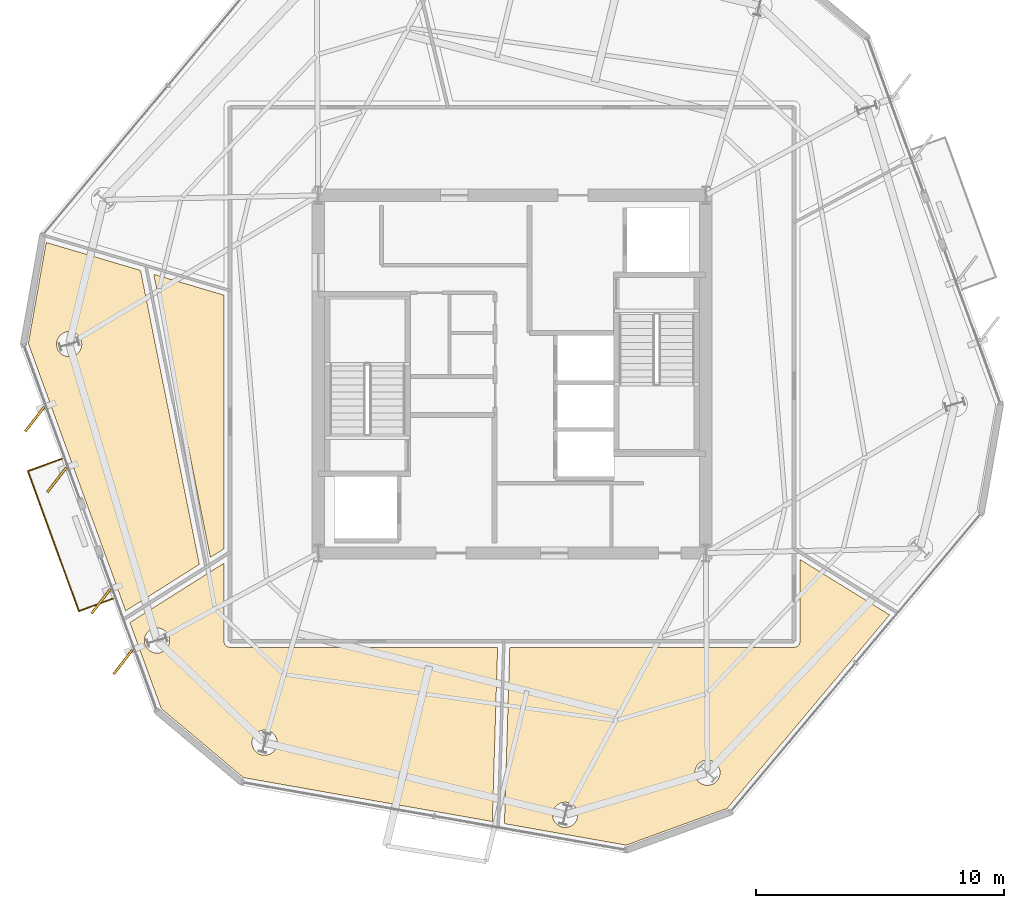
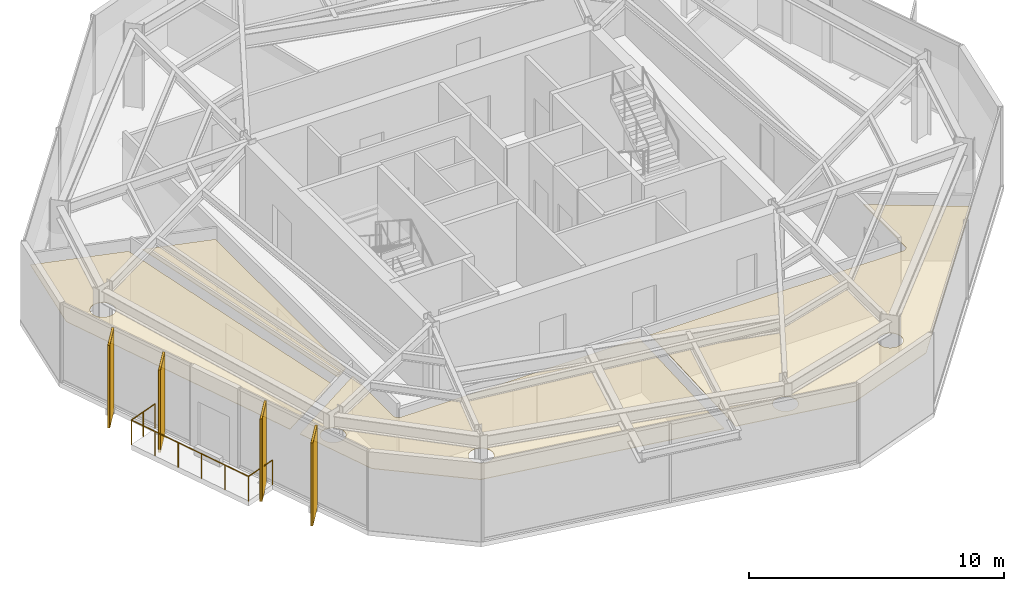
# One storey, part 9 of 11: 8 coverings, 4 shading devices, 1 railing.
"""IFC4 building model written with IfcOpenShell, lengths in metres."""

from ifc_helpers import new_model, si_unit, direction, frame, origin, origin_2d, place, context, subcontext, project, spatial, polyline, rectangle, circle, outline, extrude, material, layer, layer_set, type_object, element, save


model = new_model("IFC4")

# Units and contexts
model_context = context("Model", 3, precision=1e-05, world=origin(), true_north=direction((0.0, 1.0)))
body_context = subcontext(model_context, "Body", "Model", "MODEL_VIEW")
ifc_project = project(units=[si_unit("LENGTHUNIT", "METRE"), si_unit("AREAUNIT", "SQUARE_METRE"), si_unit("VOLUMEUNIT", "CUBIC_METRE"), si_unit("PLANEANGLEUNIT", "RADIAN"), si_unit("MASSUNIT", "GRAM", prefix="KILO")], contexts=[model_context])

# Site, building, storey
site_placement = place(None, origin())
site = spatial("IfcSite", under=ifc_project, at=site_placement, CompositionType="ELEMENT")
building_placement = place(site_placement, origin())
building = spatial("IfcBuilding", under=site, at=building_placement, Name="Kranzbogen Civic Tower", CompositionType="ELEMENT")
storey_placement = place(building_placement, frame((0.0, 0.0, 224.800048828125)))
storey = spatial("IfcBuildingStorey", under=building, at=storey_placement, Name="L54", CompositionType="ELEMENT", Elevation=224.800048828125)

# Coverings
ifc_material_1 = material(Name="Pale Anodised Aluminium", Category="aluminium")
ifc_layer_1 = layer(ifc_material_1, 0.02490234375, Name="Pale Anodised Aluminium")
ifc_layer_set_1 = layer_set([ifc_layer_1], Name="Pale Anodised Aluminium")
covering_type_1 = type_object("IfcCoveringType", Name="Anodised Aluminium Vertical Fin Cladding 25 mm", PredefinedType="CLADDING", material=ifc_layer_set_1)
for number, where, z_axis, x_axis, name in (
    (1, (5.782958984375, 23.18505859375, -0.14013671875), (0.0, 0.0, 1.0), (-0.612644994633, -0.790358216602, 0.0), "L54 vertical fin pale-metal cladding F3-1"),
    (2, (6.672119140625, 20.741943359375, -0.14013671875), (0.0, 0.0, 1.0), (-0.612644994633, -0.790358216602, 0.0), "L54 vertical fin pale-metal cladding F3-2"),
    (3, (8.450927734375, 15.85498046875, -0.14013671875), (0.0, 0.0, 1.0), (-0.612644994633, -0.790358216602, 0.0), "L54 vertical fin pale-metal cladding F3-4"),
    (4, (9.340087890625, 13.412109375, -0.14013671875), (0.0, 0.0, 1.0), (-0.612644994633, -0.790358216602, 0.0), "L54 vertical fin pale-metal cladding F3-5"),
):
    element("IfcCovering", number, at=place(storey_placement, frame(where, z_axis=z_axis, x_axis=x_axis)), inside=storey, type_object=covering_type_1, Name=name, PredefinedType="CLADDING", context=body_context, shape_type="SweptSolid", body=[
        extrude(rectangle(XDim=1.25, YDim=0.10009765625, at=origin_2d()), origin(), (0.0, 0.0, 1.0), 3.9599609375),
    ])

# Shading devices
ifc_material_2 = material(Name="Anodised Bronze Aluminium", Category="aluminium")
shading_device_type = type_object("IfcShadingDeviceType", Name="Anodised Bronze Vertical Facade Fin 1250x80", PredefinedType="USERDEFINED", material=ifc_material_2)
for number, where, z_axis, x_axis, name in (
    (5, (5.782958984375, 23.18505859375, -0.14013671875), (0.0, 0.0, 1.0), (-0.612644994633, -0.790358216602, 0.0), "L54 vertical exterior shading fin F3-1"),
    (6, (6.672119140625, 20.741943359375, -0.14013671875), (0.0, 0.0, 1.0), (-0.612644994633, -0.790358216602, 0.0), "L54 vertical exterior shading fin F3-2"),
    (7, (8.450927734375, 15.85498046875, -0.14013671875), (0.0, 0.0, 1.0), (-0.612644994633, -0.790358216602, 0.0), "L54 vertical exterior shading fin F3-4"),
    (8, (9.340087890625, 13.412109375, -0.14013671875), (0.0, 0.0, 1.0), (-0.612644994633, -0.790358216602, 0.0), "L54 vertical exterior shading fin F3-5"),
):
    element("IfcShadingDevice", number, at=place(storey_placement, frame(where, z_axis=z_axis, x_axis=x_axis)), inside=storey, type_object=shading_device_type, Name=name, ObjectType="FIN", PredefinedType="USERDEFINED", context=body_context, shape_type="SweptSolid", body=[
        extrude(rectangle(XDim=1.25, YDim=0.080078125, at=origin_2d()), origin(), (0.0, 0.0, 1.0), 3.9599609375),
    ])

# Railing
railing_type = type_object("IfcRailingType", Name="Cantilevered Balcony Glass and Bronze Balustrade 1200", PredefinedType="BALUSTRADE", material=ifc_material_2)
railing_placement = place(storey_placement, frame((6.8720703125, 21.593994140625, 0.0)))
element("IfcRailing", 9, at=railing_placement, inside=storey, type_object=railing_type, Name="L54 exterior terrace balustrade L54-TB1", PredefinedType="BALUSTRADE", context=body_context, shape_type="SweptSolid", body=[
    extrude(circle(Radius=0.02392578125, at=origin_2d()), frame((0.0, 0.0, 1.17578125), z_axis=(-0.939695099279, -0.342013333644, 0.0), x_axis=(0.342013333644, -0.939695099279, 0.0)), (0.0, 0.0, 1.0), 1.450439453125),
    extrude(circle(Radius=0.02392578125, at=origin_2d()), frame((-1.363037109375, -0.49609375, 1.17578125), z_axis=(0.342014228241, -0.939694773679, 0.0), x_axis=(0.939694773679, 0.342014228241, 0.0)), (0.0, 0.0, 1.0), 5.999755859375),
    extrude(circle(Radius=0.02392578125, at=origin_2d()), frame((0.68896484375, -6.134033203125, 1.17578125), z_axis=(0.939695099279, 0.342013333644, 0.0), x_axis=(-0.342013333644, 0.939695099279, 0.0)), (0.0, 0.0, 1.0), 1.450439453125),
    extrude(circle(Radius=0.02099609375, at=origin_2d()), origin(), (0.0, 0.0, 1.0), 1.15185546875),
    extrude(circle(Radius=0.02099609375, at=origin_2d()), frame((-0.681640625, -0.248046875, 0.0)), (0.0, 0.0, 1.0), 1.15185546875),
    extrude(circle(Radius=0.02099609375, at=origin_2d()), frame((-1.363037109375, -0.49609375, 0.0)), (0.0, 0.0, 1.0), 1.15185546875),
    extrude(circle(Radius=0.02099609375, at=origin_2d()), frame((-0.95263671875, -1.623779296875, 0.0)), (0.0, 0.0, 1.0), 1.15185546875),
    extrude(circle(Radius=0.02099609375, at=origin_2d()), frame((-0.542236328125, -2.751220703125, 0.0)), (0.0, 0.0, 1.0), 1.15185546875),
    extrude(circle(Radius=0.02099609375, at=origin_2d()), frame((-0.1318359375, -3.87890625, 0.0)), (0.0, 0.0, 1.0), 1.15185546875),
    extrude(circle(Radius=0.02099609375, at=origin_2d()), frame((0.278564453125, -5.00634765625, 0.0)), (0.0, 0.0, 1.0), 1.15185546875),
    extrude(circle(Radius=0.02099609375, at=origin_2d()), frame((0.68896484375, -6.134033203125, 0.0)), (0.0, 0.0, 1.0), 1.15185546875),
    extrude(circle(Radius=0.02099609375, at=origin_2d()), frame((1.37060546875, -5.885986328125, 0.0)), (0.0, 0.0, 1.0), 1.15185546875),
    extrude(circle(Radius=0.02099609375, at=origin_2d()), frame((2.052001953125, -5.637939453125, 0.0)), (0.0, 0.0, 1.0), 1.15185546875),
])

# Coverings
ifc_material_3 = material(Name="Perforated Acoustic Gypsum Ceiling")
ifc_layer_2 = layer(ifc_material_3, 0.02490234375, Name="Perforated Acoustic Gypsum Ceiling")
ifc_layer_set_2 = layer_set([ifc_layer_2], Name="Perforated Acoustic Gypsum Ceiling")
covering_type_2 = type_object("IfcCoveringType", Name="Perforated Acoustic Mineral Ceiling Tile 25 mm", PredefinedType="CEILING", material=ifc_layer_set_2)
covering_1_placement = place(storey_placement, frame((0.0, 0.0, 2.75)))
element("IfcCovering", 10, at=covering_1_placement, inside=storey, type_object=covering_type_2, Name="L54 Delegates Sitting Lounge acoustic ceiling", PredefinedType="CEILING", context=body_context, shape_type="SweptSolid", body=[
    extrude(outline(polyline([(13.405029296875, 17.970947265625), (12.85498046875, 17.6240234375), (10.576904296875, 29.02001953125), (13.405029296875, 28.181884765625), (13.405029296875, 17.970947265625)])), origin(), (0.0, 0.0, 1.0), 0.02490234375),
])
covering_2_placement = place(storey_placement, frame((0.0, 0.0, 2.75)))
element("IfcCovering", 11, at=covering_2_placement, inside=storey, type_object=covering_type_2, Name="L54 Executive Research Study acoustic ceiling", PredefinedType="CEILING", context=body_context, shape_type="SweptSolid", body=[
    extrude(outline(polyline([(10.0458984375, 29.177001953125), (12.410888671875, 17.343994140625), (9.446044921875, 15.471923828125), (5.527099609375, 26.237060546875), (6.2451171875, 30.303955078125), (10.0458984375, 29.177001953125)]), holes=[polyline([(7.64111328125, 26.014892578125), (7.618896484375, 25.969970703125), (7.593994140625, 25.927001953125), (7.56396484375, 25.886962890625), (7.531005859375, 25.85009765625), (7.493896484375, 25.81689453125), (7.4541015625, 25.787109375), (7.410888671875, 25.761962890625), (7.365966796875, 25.739990234375), (7.319091796875, 25.72412109375), (7.27099609375, 25.7119140625), (7.221923828125, 25.7041015625), (7.172119140625, 25.701904296875), (7.1220703125, 25.7041015625), (7.072998046875, 25.7119140625), (7.02490234375, 25.72412109375), (6.97802734375, 25.739990234375), (6.93310546875, 25.761962890625), (6.889892578125, 25.787109375), (6.85009765625, 25.81689453125), (6.81298828125, 25.85009765625), (6.780029296875, 25.886962890625), (6.75, 25.927001953125), (6.72509765625, 25.969970703125), (6.702880859375, 26.014892578125), (6.68701171875, 26.06201171875), (6.675048828125, 26.110107421875), (6.6669921875, 26.158935546875), (6.6650390625, 26.208984375), (6.6669921875, 26.259033203125), (6.675048828125, 26.30810546875), (6.68701171875, 26.35595703125), (6.702880859375, 26.403076171875), (6.72509765625, 26.447998046875), (6.75, 26.490966796875), (6.780029296875, 26.531005859375), (6.81298828125, 26.568115234375), (6.85009765625, 26.60107421875), (6.889892578125, 26.631103515625), (6.93310546875, 26.656005859375), (6.97802734375, 26.677978515625), (7.02490234375, 26.694091796875), (7.072998046875, 26.7060546875), (7.1220703125, 26.714111328125), (7.172119140625, 26.716064453125), (7.221923828125, 26.714111328125), (7.27099609375, 26.7060546875), (7.319091796875, 26.694091796875), (7.365966796875, 26.677978515625), (7.410888671875, 26.656005859375), (7.4541015625, 26.631103515625), (7.493896484375, 26.60107421875), (7.531005859375, 26.568115234375), (7.56396484375, 26.531005859375), (7.593994140625, 26.490966796875), (7.618896484375, 26.447998046875), (7.64111328125, 26.403076171875), (7.656982421875, 26.35595703125), (7.6689453125, 26.30810546875), (7.677001953125, 26.259033203125), (7.678955078125, 26.208984375), (7.677001953125, 26.158935546875), (7.6689453125, 26.110107421875), (7.656982421875, 26.06201171875), (7.64111328125, 26.014892578125)])]), origin(), (0.0, 0.0, 1.0), 0.02490234375),
])
covering_3_placement = place(storey_placement, frame((0.0, 0.0, 2.75)))
element("IfcCovering", 12, at=covering_3_placement, inside=storey, type_object=covering_type_2, Name="L54 Protocol Dining Room acoustic ceiling", PredefinedType="CEILING", context=body_context, shape_type="SweptSolid", body=[
    extrude(outline(polyline([(10.87890625, 11.535888671875), (9.616943359375, 15.0009765625), (13.405029296875, 17.39208984375), (13.405029296875, 14.25), (13.405029296875, 14.240966796875), (13.406005859375, 14.235107421875), (13.406982421875, 14.217041015625), (13.407958984375, 14.2109375), (13.412109375, 14.194091796875), (13.4130859375, 14.18701171875), (13.41796875, 14.169921875), (13.419921875, 14.1640625), (13.427001953125, 14.14794921875), (13.429931640625, 14.14208984375), (13.43798828125, 14.126953125), (13.44189453125, 14.12109375), (13.450927734375, 14.10693359375), (13.455078125, 14.10205078125), (13.466064453125, 14.087890625), (13.470947265625, 14.0830078125), (13.48291015625, 14.071044921875), (13.488037109375, 14.06591796875), (13.501953125, 14.054931640625), (13.507080078125, 14.051025390625), (13.52099609375, 14.0419921875), (13.527099609375, 14.0380859375), (13.5419921875, 14.030029296875), (13.548095703125, 14.027099609375), (13.56396484375, 14.02001953125), (13.570068359375, 14.01806640625), (13.5869140625, 14.012939453125), (13.593994140625, 14.011962890625), (13.611083984375, 14.008056640625), (13.616943359375, 14.007080078125), (13.635009765625, 14.006103515625), (13.64111328125, 14.0048828125), (13.64990234375, 14.0048828125), (24.4208984375, 14.0048828125), (24.20703125, 6.989013671875), (14.19189453125, 8.7548828125), (10.87890625, 11.535888671875)]), holes=[polyline([(15.508056640625, 9.970947265625), (15.486083984375, 9.926025390625), (15.4609375, 9.883056640625), (15.430908203125, 9.843017578125), (15.39794921875, 9.805908203125), (15.361083984375, 9.77294921875), (15.321044921875, 9.742919921875), (15.278076171875, 9.718017578125), (15.23291015625, 9.696044921875), (15.18603515625, 9.679931640625), (15.137939453125, 9.66796875), (15.089111328125, 9.659912109375), (15.0390625, 9.657958984375), (14.989013671875, 9.659912109375), (14.93994140625, 9.66796875), (14.89208984375, 9.679931640625), (14.844970703125, 9.696044921875), (14.800048828125, 9.718017578125), (14.757080078125, 9.742919921875), (14.717041015625, 9.77294921875), (14.679931640625, 9.805908203125), (14.64697265625, 9.843017578125), (14.616943359375, 9.883056640625), (14.592041015625, 9.926025390625), (14.570068359375, 9.970947265625), (14.553955078125, 10.01806640625), (14.5419921875, 10.06591796875), (14.533935546875, 10.114990234375), (14.531982421875, 10.1650390625), (14.533935546875, 10.215087890625), (14.5419921875, 10.263916015625), (14.553955078125, 10.31201171875), (14.570068359375, 10.35888671875), (14.592041015625, 10.404052734375), (14.616943359375, 10.447021484375), (14.64697265625, 10.487060546875), (14.679931640625, 10.52392578125), (14.717041015625, 10.556884765625), (14.757080078125, 10.5869140625), (14.800048828125, 10.612060546875), (14.844970703125, 10.634033203125), (14.89208984375, 10.64990234375), (14.93994140625, 10.662109375), (14.989013671875, 10.669921875), (15.0390625, 10.672119140625), (15.089111328125, 10.669921875), (15.137939453125, 10.662109375), (15.18603515625, 10.64990234375), (15.23291015625, 10.634033203125), (15.278076171875, 10.612060546875), (15.321044921875, 10.5869140625), (15.361083984375, 10.556884765625), (15.39794921875, 10.52392578125), (15.430908203125, 10.487060546875), (15.4609375, 10.447021484375), (15.486083984375, 10.404052734375), (15.508056640625, 10.35888671875), (15.52392578125, 10.31201171875), (15.535888671875, 10.263916015625), (15.5439453125, 10.215087890625), (15.5458984375, 10.1650390625), (15.5439453125, 10.114990234375), (15.535888671875, 10.06591796875), (15.52392578125, 10.01806640625), (15.508056640625, 9.970947265625)]), polyline([(11.176025390625, 14.08203125), (11.154052734375, 14.037109375), (11.12890625, 13.993896484375), (11.09912109375, 13.9541015625), (11.06591796875, 13.9169921875), (11.029052734375, 13.884033203125), (10.989013671875, 13.85400390625), (10.946044921875, 13.8291015625), (10.90087890625, 13.806884765625), (10.85400390625, 13.791015625), (10.805908203125, 13.779052734375), (10.757080078125, 13.77099609375), (10.70703125, 13.76904296875), (10.656982421875, 13.77099609375), (10.60791015625, 13.779052734375), (10.56005859375, 13.791015625), (10.512939453125, 13.806884765625), (10.468017578125, 13.8291015625), (10.425048828125, 13.85400390625), (10.385009765625, 13.884033203125), (10.347900390625, 13.9169921875), (10.31494140625, 13.9541015625), (10.284912109375, 13.993896484375), (10.260009765625, 14.037109375), (10.238037109375, 14.08203125), (10.221923828125, 14.12890625), (10.2099609375, 14.177001953125), (10.201904296875, 14.22607421875), (10.199951171875, 14.27587890625), (10.201904296875, 14.325927734375), (10.2099609375, 14.375), (10.221923828125, 14.423095703125), (10.238037109375, 14.469970703125), (10.260009765625, 14.514892578125), (10.284912109375, 14.55810546875), (10.31494140625, 14.597900390625), (10.347900390625, 14.635009765625), (10.385009765625, 14.66796875), (10.425048828125, 14.697998046875), (10.468017578125, 14.722900390625), (10.512939453125, 14.7451171875), (10.56005859375, 14.760986328125), (10.60791015625, 14.77294921875), (10.656982421875, 14.781005859375), (10.70703125, 14.782958984375), (10.757080078125, 14.781005859375), (10.805908203125, 14.77294921875), (10.85400390625, 14.760986328125), (10.90087890625, 14.7451171875), (10.946044921875, 14.722900390625), (10.989013671875, 14.697998046875), (11.029052734375, 14.66796875), (11.06591796875, 14.635009765625), (11.09912109375, 14.597900390625), (11.12890625, 14.55810546875), (11.154052734375, 14.514892578125), (11.176025390625, 14.469970703125), (11.19189453125, 14.423095703125), (11.2041015625, 14.375), (11.2119140625, 14.325927734375), (11.214111328125, 14.27587890625), (11.2119140625, 14.22607421875), (11.2041015625, 14.177001953125), (11.19189453125, 14.12890625), (11.176025390625, 14.08203125)])]), origin(), (0.0, 0.0, 1.0), 0.02490234375),
])
covering_4_placement = place(storey_placement, frame((0.0, 0.0, 2.75)))
element("IfcCovering", 13, at=covering_4_placement, inside=storey, type_object=covering_type_2, Name="L54 Public Delegation Reception acoustic ceiling", PredefinedType="CEILING", context=body_context, shape_type="SweptSolid", body=[
    extrude(outline(polyline([(29.60009765625, 6.0380859375), (24.695068359375, 6.903076171875), (24.910888671875, 14.0048828125), (36.35009765625, 14.0048828125), (36.35888671875, 14.0048828125), (36.364990234375, 14.006103515625), (36.383056640625, 14.007080078125), (36.388916015625, 14.008056640625), (36.406005859375, 14.011962890625), (36.4130859375, 14.012939453125), (36.429931640625, 14.01806640625), (36.43603515625, 14.02001953125), (36.451904296875, 14.027099609375), (36.4580078125, 14.030029296875), (36.472900390625, 14.0380859375), (36.47900390625, 14.0419921875), (36.492919921875, 14.051025390625), (36.498046875, 14.054931640625), (36.511962890625, 14.06591796875), (36.51708984375, 14.071044921875), (36.529052734375, 14.0830078125), (36.533935546875, 14.087890625), (36.544921875, 14.10205078125), (36.549072265625, 14.10693359375), (36.55810546875, 14.12109375), (36.56201171875, 14.126953125), (36.570068359375, 14.14208984375), (36.572998046875, 14.14794921875), (36.580078125, 14.1640625), (36.58203125, 14.169921875), (36.5869140625, 14.18701171875), (36.587890625, 14.194091796875), (36.592041015625, 14.2109375), (36.593017578125, 14.217041015625), (36.593994140625, 14.235107421875), (36.594970703125, 14.240966796875), (36.594970703125, 14.25), (36.594970703125, 17.5390625), (40.201904296875, 15.30810546875), (33.6650390625, 7.51806640625), (29.60009765625, 6.0380859375)]), holes=[polyline([(27.60888671875, 7.06591796875), (27.5869140625, 7.02099609375), (27.56201171875, 6.97802734375), (27.531982421875, 6.93798828125), (27.4990234375, 6.90087890625), (27.4619140625, 6.867919921875), (27.422119140625, 6.837890625), (27.37890625, 6.81298828125), (27.333984375, 6.791015625), (27.287109375, 6.77490234375), (27.239013671875, 6.762939453125), (27.18994140625, 6.7548828125), (27.139892578125, 6.7529296875), (27.090087890625, 6.7548828125), (27.041015625, 6.762939453125), (26.992919921875, 6.77490234375), (26.946044921875, 6.791015625), (26.90087890625, 6.81298828125), (26.85791015625, 6.837890625), (26.818115234375, 6.867919921875), (26.781005859375, 6.90087890625), (26.748046875, 6.93798828125), (26.718017578125, 6.97802734375), (26.693115234375, 7.02099609375), (26.6708984375, 7.06591796875), (26.655029296875, 7.113037109375), (26.64306640625, 7.160888671875), (26.635009765625, 7.2099609375), (26.633056640625, 7.260009765625), (26.635009765625, 7.31005859375), (26.64306640625, 7.35888671875), (26.655029296875, 7.406982421875), (26.6708984375, 7.4541015625), (26.693115234375, 7.4990234375), (26.718017578125, 7.5419921875), (26.748046875, 7.58203125), (26.781005859375, 7.618896484375), (26.818115234375, 7.652099609375), (26.85791015625, 7.681884765625), (26.90087890625, 7.70703125), (26.946044921875, 7.72900390625), (26.992919921875, 7.7451171875), (27.041015625, 7.757080078125), (27.090087890625, 7.764892578125), (27.139892578125, 7.76708984375), (27.18994140625, 7.764892578125), (27.239013671875, 7.757080078125), (27.287109375, 7.7451171875), (27.333984375, 7.72900390625), (27.37890625, 7.70703125), (27.422119140625, 7.681884765625), (27.4619140625, 7.652099609375), (27.4990234375, 7.618896484375), (27.531982421875, 7.58203125), (27.56201171875, 7.5419921875), (27.5869140625, 7.4990234375), (27.60888671875, 7.4541015625), (27.625, 7.406982421875), (27.636962890625, 7.35888671875), (27.64501953125, 7.31005859375), (27.64697265625, 7.260009765625), (27.64501953125, 7.2099609375), (27.636962890625, 7.160888671875), (27.625, 7.113037109375), (27.60888671875, 7.06591796875)]), polyline([(33.3359375, 8.761962890625), (33.31396484375, 8.717041015625), (33.2890625, 8.674072265625), (33.259033203125, 8.634033203125), (33.22607421875, 8.596923828125), (33.18896484375, 8.56396484375), (33.14892578125, 8.533935546875), (33.10595703125, 8.509033203125), (33.06103515625, 8.487060546875), (33.013916015625, 8.470947265625), (32.966064453125, 8.458984375), (32.9169921875, 8.450927734375), (32.866943359375, 8.448974609375), (32.81689453125, 8.450927734375), (32.76806640625, 8.458984375), (32.719970703125, 8.470947265625), (32.673095703125, 8.487060546875), (32.6279296875, 8.509033203125), (32.5849609375, 8.533935546875), (32.544921875, 8.56396484375), (32.508056640625, 8.596923828125), (32.47509765625, 8.634033203125), (32.445068359375, 8.674072265625), (32.419921875, 8.717041015625), (32.39794921875, 8.761962890625), (32.382080078125, 8.80908203125), (32.3701171875, 8.85693359375), (32.362060546875, 8.906005859375), (32.360107421875, 8.9560546875), (32.362060546875, 9.006103515625), (32.3701171875, 9.054931640625), (32.382080078125, 9.10302734375), (32.39794921875, 9.14990234375), (32.419921875, 9.195068359375), (32.445068359375, 9.238037109375), (32.47509765625, 9.278076171875), (32.508056640625, 9.31494140625), (32.544921875, 9.347900390625), (32.5849609375, 9.3779296875), (32.6279296875, 9.403076171875), (32.673095703125, 9.425048828125), (32.719970703125, 9.44091796875), (32.76806640625, 9.452880859375), (32.81689453125, 9.4609375), (32.866943359375, 9.462890625), (32.9169921875, 9.4609375), (32.966064453125, 9.452880859375), (33.013916015625, 9.44091796875), (33.06103515625, 9.425048828125), (33.10595703125, 9.403076171875), (33.14892578125, 9.3779296875), (33.18896484375, 9.347900390625), (33.22607421875, 9.31494140625), (33.259033203125, 9.278076171875), (33.2890625, 9.238037109375), (33.31396484375, 9.195068359375), (33.3359375, 9.14990234375), (33.35205078125, 9.10302734375), (33.364013671875, 9.054931640625), (33.3720703125, 9.006103515625), (33.3740234375, 8.9560546875), (33.3720703125, 8.906005859375), (33.364013671875, 8.85693359375), (33.35205078125, 8.80908203125), (33.3359375, 8.761962890625)])]), origin(), (0.0, 0.0, 1.0), 0.02490234375),
])

save(model, "model.ifc")
